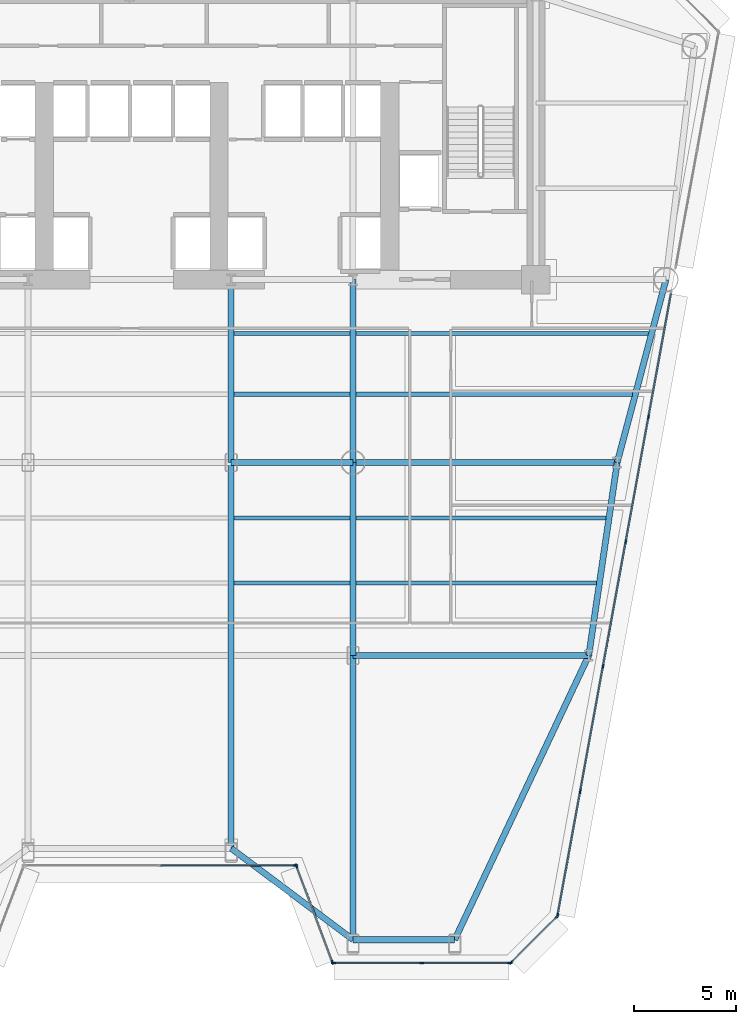
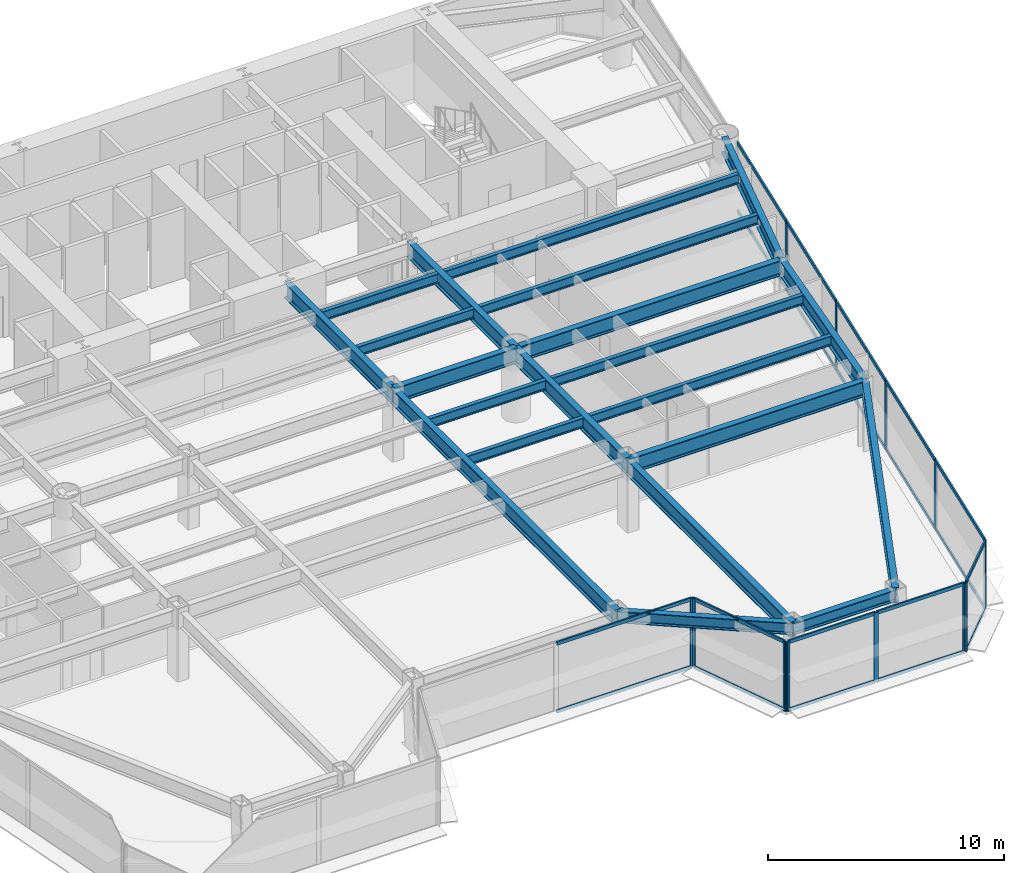
# One storey, part 4 of 14: 33 members, 21 beams, 5 elements without a shape of their own.
"""IFC4 building model written with IfcOpenShell, lengths in metres."""

from ifc_helpers import new_model, si_unit, direction, frame, origin, origin_2d, place, context, subcontext, project, spatial, rectangle, i_section, extrude, source, transform, mapped, material, layer, layer_set, material_profile, profile_set, type_object, element, aggregate, save


model = new_model("IFC4")

# Units and contexts
model_context = context("Model", 3, precision=1e-05, world=origin(), true_north=direction((0.0, 1.0)))
body_context = subcontext(model_context, "Body", "Model", "MODEL_VIEW")
ifc_project = project(units=[si_unit("LENGTHUNIT", "METRE"), si_unit("AREAUNIT", "SQUARE_METRE"), si_unit("VOLUMEUNIT", "CUBIC_METRE"), si_unit("PLANEANGLEUNIT", "RADIAN"), si_unit("MASSUNIT", "GRAM", prefix="KILO")], contexts=[model_context])

# Site, building, storey
site_placement = place(None, origin())
site = spatial("IfcSite", under=ifc_project, at=site_placement, CompositionType="ELEMENT")
building_placement = place(site_placement, origin())
building = spatial("IfcBuilding", under=site, at=building_placement, Name="Vaeldorn Concourse Tower", CompositionType="ELEMENT")
storey_placement = place(building_placement, frame((0.0, 0.0, 64.39990234375)))
storey = spatial("IfcBuildingStorey", under=building, at=storey_placement, Name="L16", CompositionType="ELEMENT", Elevation=64.39990234375)

# Beams
ifc_material_1 = material(Name="Steel S355", Category="steel")
ifc_material_profile_1 = material_profile(ifc_material_1, i_section(OverallWidth=0.300048828125, OverallDepth=0.800048828125, WebThickness=0.017578125, FlangeThickness=0.032958984375, FilletRadius=0.030029296875, at=origin_2d()), Name="HEB 800")
ifc_profile_set_1 = profile_set([ifc_material_profile_1], Name="Steel S355")
beam_type_1 = type_object("IfcBeamType", Name="BM-PG-HEB800", PredefinedType="BEAM", material=ifc_profile_set_1)
shared_shape_1 = source(origin(), body_context, "Body", "SweptSolid", [
    extrude(i_section(OverallWidth=0.300048828125, OverallDepth=0.800048828125, WebThickness=0.017578125, FlangeThickness=0.032958984375, FilletRadius=0.030029296875, at=origin_2d()), origin(), (0.0, 0.0, 1.0), 6.0),
])
beam_1_placement = place(storey_placement, frame((39.0, 27.5, 3.18017578125), z_axis=(1.0, 0.0, 0.0), x_axis=(0.0, 1.0, 0.0)))
element("IfcBeam", 1, at=beam_1_placement, inside=storey, type_object=beam_type_1, Name="Beam BM-L16-C-TW3-C-TW4", PredefinedType="BEAM", context=body_context, shape_type="MappedRepresentation", body=[
    mapped(shared_shape_1, transform((0.0, 0.0, 0.0), scale=1.0)),
])
shared_shape_2 = source(origin(), body_context, "Body", "SweptSolid", [
    extrude(i_section(OverallWidth=0.300048828125, OverallDepth=0.800048828125, WebThickness=0.017578125, FlangeThickness=0.032958984375, FilletRadius=0.030029296875, at=origin_2d()), origin(), (0.0, 0.0, 1.0), 9.0),
])
for number, where, z_axis, x_axis, name in (
    (2, (39.0, 27.5, 3.18017578125), (0.0, 1.0, 0.0), (-1.0, 0.0, 0.0), "Beam BM-L16-C-TW3-C-FC4"),
    (3, (45.0, 27.5, 3.18017578125), (0.0, 1.0, 0.0), (-1.0, 0.0, 0.0), "Beam BM-L16-C-TW4-C-FC5"),
):
    element("IfcBeam", number, at=place(storey_placement, frame(where, z_axis=z_axis, x_axis=x_axis)), inside=storey, type_object=beam_type_1, Name=name, PredefinedType="BEAM", context=body_context, shape_type="MappedRepresentation", body=[
        mapped(shared_shape_2, transform((0.0, 0.0, 0.0), scale=1.0)),
    ])
shared_shape_3 = source(origin(), body_context, "Body", "SweptSolid", [
    extrude(i_section(OverallWidth=0.300048828125, OverallDepth=0.800048828125, WebThickness=0.017578125, FlangeThickness=0.032958984375, FilletRadius=0.030029296875, at=origin_2d()), origin(), (0.0, 0.0, 1.0), 9.314453125),
])
beam_2_placement = place(storey_placement, frame((60.39990234375, 36.5, 3.18017578125), z_axis=(-0.257652862255, -0.966237549763, 0.0), x_axis=(0.966237549763, -0.257652862255, 0.0)))
element("IfcBeam", 4, at=beam_2_placement, inside=storey, type_object=beam_type_1, Name="Beam BM-L16-C-NE2-C-FLE1", PredefinedType="BEAM", context=body_context, shape_type="MappedRepresentation", body=[
    mapped(shared_shape_3, transform((0.0, 0.0, 0.0), scale=1.0)),
])
shared_shape_4 = source(origin(), body_context, "Body", "SweptSolid", [
    extrude(i_section(OverallWidth=0.300048828125, OverallDepth=0.800048828125, WebThickness=0.017578125, FlangeThickness=0.032958984375, FilletRadius=0.030029296875, at=origin_2d()), origin(), (0.0, 0.0, 1.0), 13.0),
])
beam_3_placement = place(storey_placement, frame((45.0, 27.5, 3.18017578125), z_axis=(1.0, 0.0, 0.0), x_axis=(0.0, 1.0, 0.0)))
element("IfcBeam", 5, at=beam_3_placement, inside=storey, type_object=beam_type_1, Name="Beam BM-L16-C-TW4-C-FLE1", PredefinedType="BEAM", context=body_context, shape_type="MappedRepresentation", body=[
    mapped(shared_shape_4, transform((0.0, 0.0, 0.0), scale=1.0)),
])
ifc_material_profile_2 = material_profile(ifc_material_1, i_section(OverallWidth=0.300048828125, OverallDepth=0.60009765625, WebThickness=0.015380859375, FlangeThickness=0.030029296875, FilletRadius=0.027099609375, at=origin_2d()), Name="HEB 600")
ifc_profile_set_2 = profile_set([ifc_material_profile_2], Name="Steel S355")
beam_type_2 = type_object("IfcBeamType", Name="BM-SP-HEB600", PredefinedType="SPANDREL", material=ifc_profile_set_2)
shared_shape_5 = source(origin(), body_context, "Body", "SweptSolid", [
    extrude(i_section(OverallWidth=0.300048828125, OverallDepth=0.60009765625, WebThickness=0.015380859375, FlangeThickness=0.030029296875, FilletRadius=0.027099609375, at=origin_2d()), origin(), (0.0, 0.0, 1.0), 5.0),
])
beam_4_placement = place(storey_placement, frame((45.0, 4.008056640625, 3.280029296875), z_axis=(1.0, 0.0, 0.0), x_axis=(0.0, 1.0, 0.0)))
element("IfcBeam", 6, at=beam_4_placement, inside=storey, type_object=beam_type_2, Name="Beam BM-L16-C-SF5-C-SF6", PredefinedType="SPANDREL", context=body_context, shape_type="MappedRepresentation", body=[
    mapped(shared_shape_5, transform((0.0, 0.0, 0.0), scale=1.0)),
])
shared_shape_6 = source(origin(), body_context, "Body", "SweptSolid", [
    extrude(i_section(OverallWidth=0.300048828125, OverallDepth=0.60009765625, WebThickness=0.015380859375, FlangeThickness=0.030029296875, FilletRadius=0.027099609375, at=origin_2d()), origin(), (0.0, 0.0, 1.0), 7.5),
])
beam_5_placement = place(storey_placement, frame((39.0, 8.508056640625, 3.280029296875), z_axis=(0.8, -0.6, 0.0), x_axis=(0.6, 0.8, 0.0)))
element("IfcBeam", 7, at=beam_5_placement, inside=storey, type_object=beam_type_2, Name="Beam BM-L16-C-SF4-C-SF5", PredefinedType="SPANDREL", context=body_context, shape_type="MappedRepresentation", body=[
    mapped(shared_shape_6, transform((0.0, 0.0, 0.0), scale=1.0)),
])
shared_shape_7 = source(origin(), body_context, "Body", "SweptSolid", [
    extrude(i_section(OverallWidth=0.300048828125, OverallDepth=0.800048828125, WebThickness=0.017578125, FlangeThickness=0.032958984375, FilletRadius=0.030029296875, at=origin_2d()), origin(), (0.0, 0.0, 1.0), 9.6025390625),
])
beam_6_placement = place(storey_placement, frame((58.0, 27.5, 3.18017578125), z_axis=(-0.145783835977, -0.989316467652, 0.0), x_axis=(0.989316467652, -0.145783835977, 0.0)))
element("IfcBeam", 8, at=beam_6_placement, inside=storey, type_object=beam_type_1, Name="Beam BM-L16-C-FLE1-C-FLE2", PredefinedType="BEAM", context=body_context, shape_type="MappedRepresentation", body=[
    mapped(shared_shape_7, transform((0.0, 0.0, 0.0), scale=1.0)),
])
shared_shape_8 = source(origin(), body_context, "Body", "SweptSolid", [
    extrude(i_section(OverallWidth=0.300048828125, OverallDepth=0.800048828125, WebThickness=0.017578125, FlangeThickness=0.032958984375, FilletRadius=0.030029296875, at=origin_2d()), origin(), (0.0, 0.0, 1.0), 11.60009765625),
])
beam_7_placement = place(storey_placement, frame((45.0, 18.0, 3.18017578125), z_axis=(1.0, 0.0, 0.0), x_axis=(0.0, 1.0, 0.0)))
element("IfcBeam", 9, at=beam_7_placement, inside=storey, type_object=beam_type_1, Name="Beam BM-L16-C-TW6-C-FLE2", PredefinedType="BEAM", context=body_context, shape_type="MappedRepresentation", body=[
    mapped(shared_shape_8, transform((0.0, 0.0, 0.0), scale=1.0)),
])
shared_shape_9 = source(origin(), body_context, "Body", "SweptSolid", [
    extrude(i_section(OverallWidth=0.300048828125, OverallDepth=0.800048828125, WebThickness=0.017578125, FlangeThickness=0.032958984375, FilletRadius=0.030029296875, at=origin_2d()), origin(), (0.0, 0.0, 1.0), 9.5),
])
beam_8_placement = place(storey_placement, frame((45.0, 18.0, 3.18017578125), z_axis=(0.0, 1.0, 0.0), x_axis=(-1.0, 0.0, 0.0)))
element("IfcBeam", 10, at=beam_8_placement, inside=storey, type_object=beam_type_1, Name="Beam BM-L16-C-TW6-C-TW4", PredefinedType="BEAM", context=body_context, shape_type="MappedRepresentation", body=[
    mapped(shared_shape_9, transform((0.0, 0.0, 0.0), scale=1.0)),
])
shared_shape_10 = source(origin(), body_context, "Body", "SweptSolid", [
    extrude(i_section(OverallWidth=0.300048828125, OverallDepth=0.800048828125, WebThickness=0.017578125, FlangeThickness=0.032958984375, FilletRadius=0.030029296875, at=origin_2d()), origin(), (0.0, 0.0, 1.0), 15.470458984375),
])
beam_9_placement = place(storey_placement, frame((50.0, 4.008056640625, 3.18017578125), z_axis=(0.42662525191, 0.904428490502, 0.0), x_axis=(-0.904428490502, 0.42662525191, 0.0)))
element("IfcBeam", 11, at=beam_9_placement, inside=storey, type_object=beam_type_1, Name="Beam BM-L16-C-SF6-C-FLE2", PredefinedType="BEAM", context=body_context, shape_type="MappedRepresentation", body=[
    mapped(shared_shape_10, transform((0.0, 0.0, 0.0), scale=1.0)),
])
shared_shape_11 = source(origin(), body_context, "Body", "SweptSolid", [
    extrude(i_section(OverallWidth=0.300048828125, OverallDepth=0.800048828125, WebThickness=0.017578125, FlangeThickness=0.032958984375, FilletRadius=0.030029296875, at=origin_2d()), origin(), (0.0, 0.0, 1.0), 13.991943359375),
])
beam_10_placement = place(storey_placement, frame((45.0, 4.008056640625, 3.18017578125), z_axis=(0.0, 1.0, 0.0), x_axis=(-1.0, 0.0, 0.0)))
element("IfcBeam", 12, at=beam_10_placement, inside=storey, type_object=beam_type_1, Name="Beam BM-L16-C-SF5-C-TW6", PredefinedType="BEAM", context=body_context, shape_type="MappedRepresentation", body=[
    mapped(shared_shape_11, transform((0.0, 0.0, 0.0), scale=1.0)),
])
shared_shape_12 = source(origin(), body_context, "Body", "SweptSolid", [
    extrude(i_section(OverallWidth=0.300048828125, OverallDepth=0.800048828125, WebThickness=0.017578125, FlangeThickness=0.032958984375, FilletRadius=0.030029296875, at=origin_2d()), origin(), (0.0, 0.0, 1.0), 18.991943359375),
])
beam_11_placement = place(storey_placement, frame((39.0, 8.508056640625, 3.18017578125), z_axis=(0.0, 1.0, 0.0), x_axis=(-1.0, 0.0, 0.0)))
element("IfcBeam", 13, at=beam_11_placement, inside=storey, type_object=beam_type_1, Name="Beam BM-L16-C-SF4-C-TW3", PredefinedType="BEAM", context=body_context, shape_type="MappedRepresentation", body=[
    mapped(shared_shape_12, transform((0.0, 0.0, 0.0), scale=1.0)),
])
ifc_material_profile_3 = material_profile(ifc_material_1, i_section(OverallWidth=0.199951171875, OverallDepth=0.5, WebThickness=0.01025390625, FlangeThickness=0.01611328125, FilletRadius=0.02099609375, at=origin_2d()), Name="IPE 500")
ifc_profile_set_3 = profile_set([ifc_material_profile_3], Name="Steel S355")
beam_type_3 = type_object("IfcBeamType", Name="BM-JS-IPE500", PredefinedType="JOIST", material=ifc_profile_set_3)
shared_shape_13 = source(origin(), body_context, "Body", "SweptSolid", [
    extrude(i_section(OverallWidth=0.199951171875, OverallDepth=0.5, WebThickness=0.01025390625, FlangeThickness=0.01611328125, FilletRadius=0.02099609375, at=origin_2d()), origin(), (0.0, 0.0, 1.0), 11.82470703125),
])
beam_12_placement = place(storey_placement, frame((45.14990234375, 21.56005859375, 3.330078125), z_axis=(1.0, 0.0, 0.0), x_axis=(0.0, 1.0, 0.0)))
element("IfcBeam", 14, at=beam_12_placement, inside=storey, type_object=beam_type_3, Name="Beam JS-L16-E1-215", PredefinedType="JOIST", context=body_context, shape_type="MappedRepresentation", body=[
    mapped(shared_shape_13, transform((0.0, 0.0, 0.0), scale=1.0)),
])
shared_shape_14 = source(origin(), body_context, "Body", "SweptSolid", [
    extrude(i_section(OverallWidth=0.199951171875, OverallDepth=0.5, WebThickness=0.01025390625, FlangeThickness=0.01611328125, FilletRadius=0.02099609375, at=origin_2d()), origin(), (0.0, 0.0, 1.0), 5.7001953125),
])
for number, where, z_axis, x_axis, name in (
    (15, (39.14990234375, 21.56005859375, 3.330078125), (1.0, 0.0, 0.0), (0.0, 1.0, 0.0), "Beam JS-L16-E2-215"),
    (16, (39.14990234375, 24.760009765625, 3.330078125), (1.0, 0.0, 0.0), (0.0, 1.0, 0.0), "Beam JS-L16-E2-247"),
    (17, (39.14990234375, 30.860107421875, 3.330078125), (1.0, 0.0, 0.0), (0.0, 1.0, 0.0), "Beam JS-L16-E2-308"),
    (18, (39.14990234375, 33.860107421875, 3.330078125), (1.0, 0.0, 0.0), (0.0, 1.0, 0.0), "Beam JS-L16-E2-338"),
):
    element("IfcBeam", number, at=place(storey_placement, frame(where, z_axis=z_axis, x_axis=x_axis)), inside=storey, type_object=beam_type_3, Name=name, PredefinedType="JOIST", context=body_context, shape_type="MappedRepresentation", body=[
        mapped(shared_shape_14, transform((0.0, 0.0, 0.0), scale=1.0)),
    ])
shared_shape_15 = source(origin(), body_context, "Body", "SweptSolid", [
    extrude(i_section(OverallWidth=0.199951171875, OverallDepth=0.5, WebThickness=0.01025390625, FlangeThickness=0.01611328125, FilletRadius=0.02099609375, at=origin_2d()), origin(), (0.0, 0.0, 1.0), 12.29638671875),
])
beam_13_placement = place(storey_placement, frame((45.14990234375, 24.760009765625, 3.330078125), z_axis=(1.0, 0.0, 0.0), x_axis=(0.0, 1.0, 0.0)))
element("IfcBeam", 19, at=beam_13_placement, inside=storey, type_object=beam_type_3, Name="Beam JS-L16-E1-247", PredefinedType="JOIST", context=body_context, shape_type="MappedRepresentation", body=[
    mapped(shared_shape_15, transform((0.0, 0.0, 0.0), scale=1.0)),
])
shared_shape_16 = source(origin(), body_context, "Body", "SweptSolid", [
    extrude(i_section(OverallWidth=0.199951171875, OverallDepth=0.5, WebThickness=0.01025390625, FlangeThickness=0.01611328125, FilletRadius=0.02099609375, at=origin_2d()), origin(), (0.0, 0.0, 1.0), 13.59619140625),
])
beam_14_placement = place(storey_placement, frame((45.14990234375, 30.860107421875, 3.330078125), z_axis=(1.0, 0.0, 0.0), x_axis=(0.0, 1.0, 0.0)))
element("IfcBeam", 20, at=beam_14_placement, inside=storey, type_object=beam_type_3, Name="Beam JS-L16-E1-308", PredefinedType="JOIST", context=body_context, shape_type="MappedRepresentation", body=[
    mapped(shared_shape_16, transform((0.0, 0.0, 0.0), scale=1.0)),
])
shared_shape_17 = source(origin(), body_context, "Body", "SweptSolid", [
    extrude(i_section(OverallWidth=0.199951171875, OverallDepth=0.5, WebThickness=0.01025390625, FlangeThickness=0.01611328125, FilletRadius=0.02099609375, at=origin_2d()), origin(), (0.0, 0.0, 1.0), 14.39599609375),
])
beam_15_placement = place(storey_placement, frame((45.14990234375, 33.860107421875, 3.330078125), z_axis=(1.0, 0.0, 0.0), x_axis=(0.0, 1.0, 0.0)))
element("IfcBeam", 21, at=beam_15_placement, inside=storey, type_object=beam_type_3, Name="Beam JS-L16-E1-338", PredefinedType="JOIST", context=body_context, shape_type="MappedRepresentation", body=[
    mapped(shared_shape_17, transform((0.0, 0.0, 0.0), scale=1.0)),
])

# Curtain wall, members
ifc_material_2 = material(Name="Anodised Bronze Aluminium", Category="aluminium")
ifc_layer = layer(ifc_material_2, 0.219970703125)
ifc_layer_set = layer_set([ifc_layer], Name="Anodised Bronze Aluminium")
curtain_wall_type = type_object("IfcCurtainWallType", Name="CW-SYS-01", PredefinedType="NOTDEFINED", material=ifc_layer_set)
curtain_wall_1_placement = place(storey_placement, origin())
curtain_wall_1 = element("IfcCurtainWall", 22, at=curtain_wall_1_placement, inside=storey, type_object=curtain_wall_type, Name="Unitised Curtain Wall CW-L16-E04-1", PredefinedType="NOTDEFINED")
ifc_material_profile_4 = material_profile(ifc_material_2, rectangle(XDim=0.074951171875, YDim=0.179931640625, at=origin_2d()), Name="CWT 75x180")
ifc_profile_set_4 = profile_set([ifc_material_profile_4], Name="Anodised Bronze Aluminium")
member_type_1 = type_object("IfcMemberType", Name="CWT-BRONZE-180", PredefinedType="USERDEFINED", material=ifc_profile_set_4)
shared_shape_18 = source(origin(), body_context, "Body", "SweptSolid", [
    extrude(rectangle(XDim=0.074951171875, YDim=0.179931640625, at=origin_2d()), origin(), (0.0, 0.0, 1.0), 4.976318359375),
])
member_1_placement = place(storey_placement, frame((42.226318359375, 7.5986328125, 0.03759765625), z_axis=(0.351128818119, -0.936327161352, 0.0), x_axis=(0.936327161352, 0.351128818119, 0.0)))
member_1 = element("IfcMember", 23, at=member_1_placement, type_object=member_type_1, Name="CW-01 transom 1.1", ObjectType="TRANSOM", PredefinedType="USERDEFINED", context=body_context, shape_type="MappedRepresentation", body=[
    mapped(shared_shape_18, transform((0.0, 0.0, 0.0), scale=1.0)),
])
member_2_placement = place(storey_placement, frame((42.226318359375, 7.5986328125, 3.54248046875), z_axis=(0.351128818119, -0.936327161352, 0.0), x_axis=(0.936327161352, 0.351128818119, 0.0)))
member_2 = element("IfcMember", 24, at=member_2_placement, type_object=member_type_1, Name="CW-01 transom 1.2", ObjectType="TRANSOM", PredefinedType="USERDEFINED", context=body_context, shape_type="MappedRepresentation", body=[
    mapped(shared_shape_18, transform((0.0, 0.0, 0.0), scale=1.0)),
])

curtain_wall_2_placement = place(storey_placement, origin())
curtain_wall_2 = element("IfcCurtainWall", 25, at=curtain_wall_2_placement, inside=storey, type_object=curtain_wall_type, Name="Unitised Curtain Wall CW-L16-E03-1", PredefinedType="NOTDEFINED")
shared_shape_19 = source(origin(), body_context, "Body", "SweptSolid", [
    extrude(rectangle(XDim=0.074951171875, YDim=0.179931640625, at=origin_2d()), origin(), (0.0, 0.0, 1.0), 6.58740234375),
])
member_3_placement = place(storey_placement, frame((35.53759765625, 7.6689453125, 0.03759765625), z_axis=(1.0, 0.0, 0.0), x_axis=(0.0, 1.0, 0.0)))
member_3 = element("IfcMember", 26, at=member_3_placement, type_object=member_type_1, Name="CW-01 transom 2.1", ObjectType="TRANSOM", PredefinedType="USERDEFINED", context=body_context, shape_type="MappedRepresentation", body=[
    mapped(shared_shape_19, transform((0.0, 0.0, 0.0), scale=1.0)),
])
member_4_placement = place(storey_placement, frame((35.53759765625, 7.6689453125, 3.54248046875), z_axis=(1.0, 0.0, 0.0), x_axis=(0.0, 1.0, 0.0)))
member_4 = element("IfcMember", 27, at=member_4_placement, type_object=member_type_1, Name="CW-01 transom 2.2", ObjectType="TRANSOM", PredefinedType="USERDEFINED", context=body_context, shape_type="MappedRepresentation", body=[
    mapped(shared_shape_19, transform((0.0, 0.0, 0.0), scale=1.0)),
])

curtain_wall_3_placement = place(storey_placement, origin())
curtain_wall_3 = element("IfcCurtainWall", 28, at=curtain_wall_3_placement, inside=storey, type_object=curtain_wall_type, Name="Unitised Curtain Wall CW-L16-E06-1", PredefinedType="NOTDEFINED")
shared_shape_20 = source(origin(), body_context, "Body", "SweptSolid", [
    extrude(rectangle(XDim=0.074951171875, YDim=0.179931640625, at=origin_2d()), origin(), (0.0, 0.0, 1.0), 3.102783203125),
])
member_5_placement = place(storey_placement, frame((52.8115234375, 2.921875, 0.03759765625), z_axis=(0.707067437368, 0.707146122816, 0.0), x_axis=(-0.707146122816, 0.707067437368, 0.0)))
member_5 = element("IfcMember", 29, at=member_5_placement, type_object=member_type_1, Name="CW-01 transom 1.1", ObjectType="TRANSOM", PredefinedType="USERDEFINED", context=body_context, shape_type="MappedRepresentation", body=[
    mapped(shared_shape_20, transform((0.0, 0.0, 0.0), scale=1.0)),
])
member_6_placement = place(storey_placement, frame((52.8115234375, 2.921875, 3.54248046875), z_axis=(0.707067437368, 0.707146122816, 0.0), x_axis=(-0.707146122816, 0.707067437368, 0.0)))
member_6 = element("IfcMember", 30, at=member_6_placement, type_object=member_type_1, Name="CW-01 transom 1.2", ObjectType="TRANSOM", PredefinedType="USERDEFINED", context=body_context, shape_type="MappedRepresentation", body=[
    mapped(shared_shape_20, transform((0.0, 0.0, 0.0), scale=1.0)),
])

# Member
ifc_material_profile_5 = material_profile(ifc_material_2, rectangle(XDim=0.074951171875, YDim=0.219970703125, at=origin_2d()), Name="CWM 75x220")
ifc_profile_set_5 = profile_set([ifc_material_profile_5], Name="Anodised Bronze Aluminium")
member_type_2 = type_object("IfcMemberType", Name="CWM-BRONZE-220", PredefinedType="MULLION", material=ifc_profile_set_5)
shared_shape_21 = source(origin(), body_context, "Body", "SweptSolid", [
    extrude(rectangle(XDim=0.074951171875, YDim=0.219970703125, at=origin_2d()), origin(), (0.0, 0.0, 1.0), 3.580078125),
])
member_7_placement = place(storey_placement, frame((42.16259765625, 7.6689453125, 0.0), z_axis=(0.0, 0.0, 1.0), x_axis=(0.0, 1.0, 0.0)))
member_7 = element("IfcMember", 31, at=member_7_placement, type_object=member_type_2, Name="CW-01 mullion 3", PredefinedType="MULLION", context=body_context, shape_type="MappedRepresentation", body=[
    mapped(shared_shape_21, transform((0.0, 0.0, 0.0), scale=1.0)),
])

aggregate(curtain_wall_2, [member_7, member_3, member_4])

member_8_placement = place(storey_placement, frame((42.213134765625, 7.6337890625, 0.0), z_axis=(0.0, 0.0, 1.0), x_axis=(0.936329177566, 0.351123441595, 0.0)))
member_8 = element("IfcMember", 32, at=member_8_placement, type_object=member_type_2, Name="CW-01 mullion 1", PredefinedType="MULLION", context=body_context, shape_type="MappedRepresentation", body=[
    mapped(shared_shape_21, transform((0.0, 0.0, 0.0), scale=1.0)),
])

member_9_placement = place(storey_placement, frame((43.98681640625, 2.904052734375, 0.0), z_axis=(0.0, 0.0, 1.0), x_axis=(0.936329177566, 0.351123441595, 0.0)))
member_9 = element("IfcMember", 33, at=member_9_placement, type_object=member_type_2, Name="CW-01 mullion 2", PredefinedType="MULLION", context=body_context, shape_type="MappedRepresentation", body=[
    mapped(shared_shape_21, transform((0.0, 0.0, 0.0), scale=1.0)),
])

aggregate(curtain_wall_1, [member_8, member_9, member_1, member_2])

# Curtain wall, members
curtain_wall_4_placement = place(storey_placement, origin())
curtain_wall_4 = element("IfcCurtainWall", 34, at=curtain_wall_4_placement, inside=storey, type_object=curtain_wall_type, Name="Unitised Curtain Wall CW-L16-E05-1", PredefinedType="NOTDEFINED")
member_10_placement = place(storey_placement, frame((44.03759765625, 2.868896484375, 0.0), z_axis=(0.0, 0.0, 1.0), x_axis=(0.0, 1.0, 0.0)))
member_10 = element("IfcMember", 35, at=member_10_placement, type_object=member_type_2, Name="CW-01 mullion 1", PredefinedType="MULLION", context=body_context, shape_type="MappedRepresentation", body=[
    mapped(shared_shape_21, transform((0.0, 0.0, 0.0), scale=1.0)),
])
member_11_placement = place(storey_placement, frame((48.379150390625, 2.868896484375, 0.0), z_axis=(0.0, 0.0, 1.0), x_axis=(0.0, 1.0, 0.0)))
member_11 = element("IfcMember", 36, at=member_11_placement, type_object=member_type_2, Name="CW-01 mullion 2", PredefinedType="MULLION", context=body_context, shape_type="MappedRepresentation", body=[
    mapped(shared_shape_21, transform((0.0, 0.0, 0.0), scale=1.0)),
])
member_12_placement = place(storey_placement, frame((52.720947265625, 2.868896484375, 0.0), z_axis=(0.0, 0.0, 1.0), x_axis=(0.0, 1.0, 0.0)))
member_12 = element("IfcMember", 37, at=member_12_placement, type_object=member_type_2, Name="CW-01 mullion 3", PredefinedType="MULLION", context=body_context, shape_type="MappedRepresentation", body=[
    mapped(shared_shape_21, transform((0.0, 0.0, 0.0), scale=1.0)),
])

# Member
member_13_placement = place(storey_placement, frame((52.784912109375, 2.8955078125, 0.0), z_axis=(0.0, 0.0, 1.0), x_axis=(-0.707106781187, 0.707106781187, 0.0)))
member_13 = element("IfcMember", 38, at=member_13_placement, type_object=member_type_2, Name="CW-01 mullion 1", PredefinedType="MULLION", context=body_context, shape_type="MappedRepresentation", body=[
    mapped(shared_shape_21, transform((0.0, 0.0, 0.0), scale=1.0)),
])

member_14_placement = place(storey_placement, frame((55.031982421875, 5.142333984375, 0.0), z_axis=(0.0, 0.0, 1.0), x_axis=(-0.707106781187, 0.707106781187, 0.0)))
member_14 = element("IfcMember", 39, at=member_14_placement, type_object=member_type_2, Name="CW-01 mullion 2", PredefinedType="MULLION", context=body_context, shape_type="MappedRepresentation", body=[
    mapped(shared_shape_21, transform((0.0, 0.0, 0.0), scale=1.0)),
])

aggregate(curtain_wall_3, [member_13, member_14, member_5, member_6])

# Curtain wall, members
curtain_wall_5_placement = place(storey_placement, origin())
curtain_wall_5 = element("IfcCurtainWall", 40, at=curtain_wall_5_placement, inside=storey, type_object=curtain_wall_type, Name="Unitised Curtain Wall CW-L16-E07-1", PredefinedType="NOTDEFINED")
member_15_placement = place(storey_placement, frame((55.065185546875, 5.205810546875, 0.0), z_axis=(0.0, 0.0, 1.0), x_axis=(-0.983762772007, 0.179473698387, 0.0)))
member_15 = element("IfcMember", 41, at=member_15_placement, type_object=member_type_2, Name="CW-01 mullion 1", PredefinedType="MULLION", context=body_context, shape_type="MappedRepresentation", body=[
    mapped(shared_shape_21, transform((0.0, 0.0, 0.0), scale=1.0)),
])
member_16_placement = place(storey_placement, frame((56.178955078125, 11.311279296875, 0.0), z_axis=(0.0, 0.0, 1.0), x_axis=(-0.983762772007, 0.179473698387, 0.0)))
member_16 = element("IfcMember", 42, at=member_16_placement, type_object=member_type_2, Name="CW-01 mullion 2", PredefinedType="MULLION", context=body_context, shape_type="MappedRepresentation", body=[
    mapped(shared_shape_21, transform((0.0, 0.0, 0.0), scale=1.0)),
])
member_17_placement = place(storey_placement, frame((57.299560546875, 17.45361328125, 0.0), z_axis=(0.0, 0.0, 1.0), x_axis=(-0.983762772007, 0.179473698387, 0.0)))
member_17 = element("IfcMember", 43, at=member_17_placement, type_object=member_type_2, Name="CW-01 mullion 3", PredefinedType="MULLION", context=body_context, shape_type="MappedRepresentation", body=[
    mapped(shared_shape_21, transform((0.0, 0.0, 0.0), scale=1.0)),
])
member_18_placement = place(storey_placement, frame((58.420166015625, 23.595947265625, 0.0), z_axis=(0.0, 0.0, 1.0), x_axis=(-0.983762772007, 0.179473698387, 0.0)))
member_18 = element("IfcMember", 44, at=member_18_placement, type_object=member_type_2, Name="CW-01 mullion 4", PredefinedType="MULLION", context=body_context, shape_type="MappedRepresentation", body=[
    mapped(shared_shape_21, transform((0.0, 0.0, 0.0), scale=1.0)),
])
member_19_placement = place(storey_placement, frame((59.540771484375, 29.73828125, 0.0), z_axis=(0.0, 0.0, 1.0), x_axis=(-0.983762772007, 0.179473698387, 0.0)))
member_19 = element("IfcMember", 45, at=member_19_placement, type_object=member_type_2, Name="CW-01 mullion 5", PredefinedType="MULLION", context=body_context, shape_type="MappedRepresentation", body=[
    mapped(shared_shape_21, transform((0.0, 0.0, 0.0), scale=1.0)),
])

# Member
shared_shape_22 = source(origin(), body_context, "Body", "SweptSolid", [
    extrude(rectangle(XDim=0.074951171875, YDim=0.179931640625, at=origin_2d()), origin(), (0.0, 0.0, 1.0), 4.266845703125),
])
member_20_placement = place(storey_placement, frame((44.074951171875, 2.868896484375, 0.03759765625), z_axis=(1.0, 0.0, 0.0), x_axis=(0.0, 1.0, 0.0)))
member_20 = element("IfcMember", 46, at=member_20_placement, type_object=member_type_1, Name="CW-01 transom 1.1", ObjectType="TRANSOM", PredefinedType="USERDEFINED", context=body_context, shape_type="MappedRepresentation", body=[
    mapped(shared_shape_22, transform((0.0, 0.0, 0.0), scale=1.0)),
])

member_21_placement = place(storey_placement, frame((44.074951171875, 2.868896484375, 3.54248046875), z_axis=(1.0, 0.0, 0.0), x_axis=(0.0, 1.0, 0.0)))
member_21 = element("IfcMember", 47, at=member_21_placement, type_object=member_type_1, Name="CW-01 transom 1.2", ObjectType="TRANSOM", PredefinedType="USERDEFINED", context=body_context, shape_type="MappedRepresentation", body=[
    mapped(shared_shape_22, transform((0.0, 0.0, 0.0), scale=1.0)),
])

shared_shape_23 = source(origin(), body_context, "Body", "SweptSolid", [
    extrude(rectangle(XDim=0.074951171875, YDim=0.179931640625, at=origin_2d()), origin(), (0.0, 0.0, 1.0), 4.2666015625),
])
member_22_placement = place(storey_placement, frame((48.416748046875, 2.868896484375, 0.03759765625), z_axis=(1.0, 0.0, 0.0), x_axis=(0.0, 1.0, 0.0)))
member_22 = element("IfcMember", 48, at=member_22_placement, type_object=member_type_1, Name="CW-01 transom 2.1", ObjectType="TRANSOM", PredefinedType="USERDEFINED", context=body_context, shape_type="MappedRepresentation", body=[
    mapped(shared_shape_23, transform((0.0, 0.0, 0.0), scale=1.0)),
])

member_23_placement = place(storey_placement, frame((48.416748046875, 2.868896484375, 3.54248046875), z_axis=(1.0, 0.0, 0.0), x_axis=(0.0, 1.0, 0.0)))
member_23 = element("IfcMember", 49, at=member_23_placement, type_object=member_type_1, Name="CW-01 transom 2.2", ObjectType="TRANSOM", PredefinedType="USERDEFINED", context=body_context, shape_type="MappedRepresentation", body=[
    mapped(shared_shape_23, transform((0.0, 0.0, 0.0), scale=1.0)),
])

aggregate(curtain_wall_4, [member_10, member_11, member_12, member_20, member_21, member_22, member_23])

shared_shape_24 = source(origin(), body_context, "Body", "SweptSolid", [
    extrude(rectangle(XDim=0.074951171875, YDim=0.179931640625, at=origin_2d()), origin(), (0.0, 0.0, 1.0), 6.13134765625),
])
member_24_placement = place(storey_placement, frame((55.07177734375, 5.24267578125, 0.03759765625), z_axis=(0.179502113068, 0.983757587724, 0.0), x_axis=(-0.983757587724, 0.179502113068, 0.0)))
member_24 = element("IfcMember", 50, at=member_24_placement, type_object=member_type_1, Name="CW-01 transom 1.1", ObjectType="TRANSOM", PredefinedType="USERDEFINED", context=body_context, shape_type="MappedRepresentation", body=[
    mapped(shared_shape_24, transform((0.0, 0.0, 0.0), scale=1.0)),
])

member_25_placement = place(storey_placement, frame((55.07177734375, 5.24267578125, 3.54248046875), z_axis=(0.179502113068, 0.983757587724, 0.0), x_axis=(-0.983757587724, 0.179502113068, 0.0)))
member_25 = element("IfcMember", 51, at=member_25_placement, type_object=member_type_1, Name="CW-01 transom 1.2", ObjectType="TRANSOM", PredefinedType="USERDEFINED", context=body_context, shape_type="MappedRepresentation", body=[
    mapped(shared_shape_24, transform((0.0, 0.0, 0.0), scale=1.0)),
])

shared_shape_25 = source(origin(), body_context, "Body", "SweptSolid", [
    extrude(rectangle(XDim=0.074951171875, YDim=0.179931640625, at=origin_2d()), origin(), (0.0, 0.0, 1.0), 6.168701171875),
])
member_26_placement = place(storey_placement, frame((56.185791015625, 11.34814453125, 0.03759765625), z_axis=(0.179442655336, 0.98376843487, 0.0), x_axis=(-0.98376843487, 0.179442655336, 0.0)))
member_26 = element("IfcMember", 52, at=member_26_placement, type_object=member_type_1, Name="CW-01 transom 2.1", ObjectType="TRANSOM", PredefinedType="USERDEFINED", context=body_context, shape_type="MappedRepresentation", body=[
    mapped(shared_shape_25, transform((0.0, 0.0, 0.0), scale=1.0)),
])

member_27_placement = place(storey_placement, frame((56.185791015625, 11.34814453125, 3.54248046875), z_axis=(0.179442655336, 0.98376843487, 0.0), x_axis=(-0.98376843487, 0.179442655336, 0.0)))
member_27 = element("IfcMember", 53, at=member_27_placement, type_object=member_type_1, Name="CW-01 transom 2.2", ObjectType="TRANSOM", PredefinedType="USERDEFINED", context=body_context, shape_type="MappedRepresentation", body=[
    mapped(shared_shape_25, transform((0.0, 0.0, 0.0), scale=1.0)),
])

member_28_placement = place(storey_placement, frame((57.306396484375, 17.490478515625, 0.03759765625), z_axis=(0.179442655336, 0.98376843487, 0.0), x_axis=(-0.98376843487, 0.179442655336, 0.0)))
member_28 = element("IfcMember", 54, at=member_28_placement, type_object=member_type_1, Name="CW-01 transom 3.1", ObjectType="TRANSOM", PredefinedType="USERDEFINED", context=body_context, shape_type="MappedRepresentation", body=[
    mapped(shared_shape_25, transform((0.0, 0.0, 0.0), scale=1.0)),
])

member_29_placement = place(storey_placement, frame((57.306396484375, 17.490478515625, 3.54248046875), z_axis=(0.179442655336, 0.98376843487, 0.0), x_axis=(-0.98376843487, 0.179442655336, 0.0)))
member_29 = element("IfcMember", 55, at=member_29_placement, type_object=member_type_1, Name="CW-01 transom 3.2", ObjectType="TRANSOM", PredefinedType="USERDEFINED", context=body_context, shape_type="MappedRepresentation", body=[
    mapped(shared_shape_25, transform((0.0, 0.0, 0.0), scale=1.0)),
])

shared_shape_26 = source(origin(), body_context, "Body", "SweptSolid", [
    extrude(rectangle(XDim=0.074951171875, YDim=0.179931640625, at=origin_2d()), origin(), (0.0, 0.0, 1.0), 6.16845703125),
])
member_30_placement = place(storey_placement, frame((58.4267578125, 23.6328125, 0.03759765625), z_axis=(0.179487945886, 0.983760172645, 0.0), x_axis=(-0.983760172645, 0.179487945886, 0.0)))
member_30 = element("IfcMember", 56, at=member_30_placement, type_object=member_type_1, Name="CW-01 transom 4.1", ObjectType="TRANSOM", PredefinedType="USERDEFINED", context=body_context, shape_type="MappedRepresentation", body=[
    mapped(shared_shape_26, transform((0.0, 0.0, 0.0), scale=1.0)),
])

member_31_placement = place(storey_placement, frame((58.4267578125, 23.6328125, 3.54248046875), z_axis=(0.179487945886, 0.983760172645, 0.0), x_axis=(-0.983760172645, 0.179487945886, 0.0)))
member_31 = element("IfcMember", 57, at=member_31_placement, type_object=member_type_1, Name="CW-01 transom 4.2", ObjectType="TRANSOM", PredefinedType="USERDEFINED", context=body_context, shape_type="MappedRepresentation", body=[
    mapped(shared_shape_26, transform((0.0, 0.0, 0.0), scale=1.0)),
])

shared_shape_27 = source(origin(), body_context, "Body", "SweptSolid", [
    extrude(rectangle(XDim=0.074951171875, YDim=0.179931640625, at=origin_2d()), origin(), (0.0, 0.0, 1.0), 6.131103515625),
])
member_32_placement = place(storey_placement, frame((59.54736328125, 29.775146484375, 0.03759765625), z_axis=(0.179509144763, 0.983756304654, 0.0), x_axis=(-0.983756304654, 0.179509144763, 0.0)))
member_32 = element("IfcMember", 58, at=member_32_placement, type_object=member_type_1, Name="CW-01 transom 5.1", ObjectType="TRANSOM", PredefinedType="USERDEFINED", context=body_context, shape_type="MappedRepresentation", body=[
    mapped(shared_shape_27, transform((0.0, 0.0, 0.0), scale=1.0)),
])

member_33_placement = place(storey_placement, frame((59.54736328125, 29.775146484375, 3.54248046875), z_axis=(0.179509144763, 0.983756304654, 0.0), x_axis=(-0.983756304654, 0.179509144763, 0.0)))
member_33 = element("IfcMember", 59, at=member_33_placement, type_object=member_type_1, Name="CW-01 transom 5.2", ObjectType="TRANSOM", PredefinedType="USERDEFINED", context=body_context, shape_type="MappedRepresentation", body=[
    mapped(shared_shape_27, transform((0.0, 0.0, 0.0), scale=1.0)),
])

aggregate(curtain_wall_5, [member_15, member_16, member_17, member_18, member_19, member_24, member_25, member_26, member_27, member_28, member_29, member_30, member_31, member_32, member_33])

save(model, "model.ifc")
